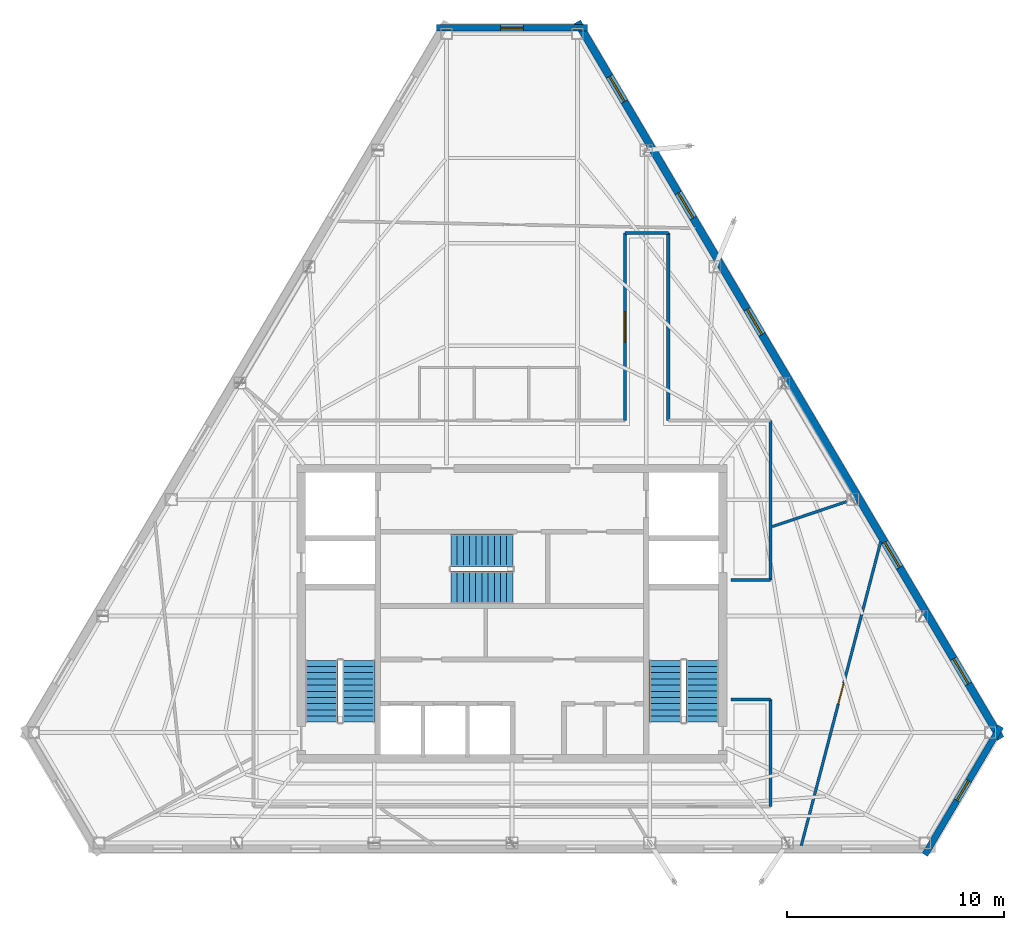
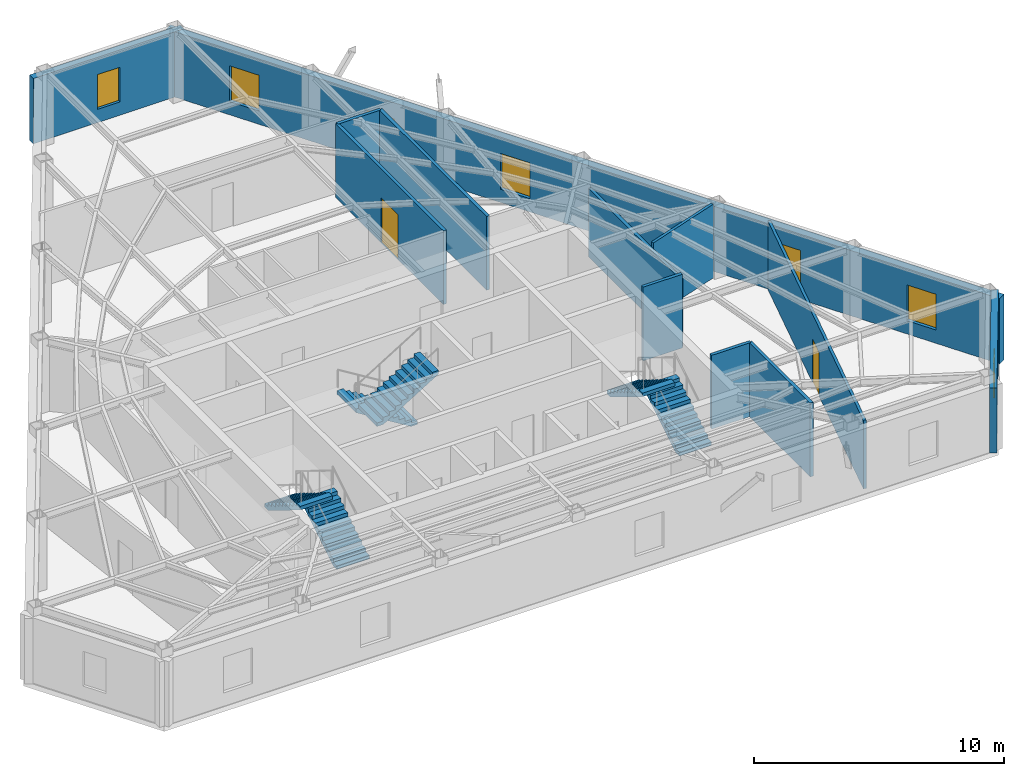
# One storey, part 9 of 10: 12 walls, 7 windows, 6 stair flights, 2 doors, 9 openings, 3 elements without a shape of their own.
"""IFC4 building model written with IfcOpenShell, lengths in metres."""

from ifc_helpers import new_model, si_unit, direction, frame, frame_2d, origin, place, context, subcontext, project, spatial, polyline, rectangle, outline, extrude, material, layer, layer_set, type_object, element, fill, aggregate, save


model = new_model("IFC4")

# Units and contexts
model_context = context("Model", 3, precision=1e-05, world=origin(), true_north=direction((0.0, 1.0)))
body_context = subcontext(model_context, "Body", "Model", "MODEL_VIEW")
ifc_project = project(units=[si_unit("LENGTHUNIT", "METRE"), si_unit("AREAUNIT", "SQUARE_METRE"), si_unit("VOLUMEUNIT", "CUBIC_METRE"), si_unit("PLANEANGLEUNIT", "RADIAN"), si_unit("MASSUNIT", "GRAM", prefix="KILO")], contexts=[model_context])

# Site, building, storey
site_placement = place(None, origin())
site = spatial("IfcSite", under=ifc_project, at=site_placement, CompositionType="ELEMENT")
building_placement = place(site_placement, origin())
building = spatial("IfcBuilding", under=site, at=building_placement, Name="Kavelnor Concourse Tower", CompositionType="ELEMENT")
storey_placement = place(building_placement, frame((0.0, 0.0, 274.14990234375)))
storey = spatial("IfcBuildingStorey", under=building, at=storey_placement, Name="L69", CompositionType="ELEMENT", Elevation=274.14990234375)

# Wall, opening, window
ifc_material_1 = material(Name="Buff ironspot clay face brick masonry", Category="masonry")
ifc_layer_1 = layer(ifc_material_1, 0.300048828125, Name="Buff ironspot clay face brick masonry")
ifc_layer_set_1 = layer_set([ifc_layer_1], Name="Buff ironspot clay face brick masonry")
wall_type_1 = type_object("IfcWallType", Name="WL-EXT-BUFF-BRICK-FOLD-300", PredefinedType="STANDARD", material=ifc_layer_set_1)
wall_1_placement = place(storey_placement, frame((34.511474609375, 43.083984375, 0.0), z_axis=(0.0, 0.0, 1.0), x_axis=(1.0, 0.0, 0.0)))
wall_1 = element("IfcWall", 1, at=wall_1_placement, inside=storey, type_object=wall_type_1, Name="L69 Exterior Brick Facade Wall E0", PredefinedType="STANDARD", context=body_context, shape_type="SweptSolid", body=[
    extrude(rectangle(XDim=6.97705078125, YDim=0.300048828125, at=frame_2d((3.488525390625, 0.0))), origin(), (0.0, 0.0, 1.0), 3.196044921875),
])
opening_1_placement = place(wall_1_placement, frame((2.963623046875, 0.0, 0.64990234375)))
opening_1 = element("IfcOpeningElement", 2, at=opening_1_placement, cuts=wall_1, Name="Opening W-06", PredefinedType="OPENING", context=body_context, shape_type="SweptSolid", body=[
    extrude(rectangle(XDim=1.050048828125, YDim=1.699951171875, at=frame_2d((0.52490234375, 0.85009765625))), frame((0.0, 0.16015625, 0.0), z_axis=(0.0, -1.0, 0.0), x_axis=(1.0, 0.0, 0.0)), (0.0, 0.0, 1.0), 0.320068359375),
])
ifc_material_2 = material(Name="Double low-E argon insulated glazing", Category="glass")
window_type_1 = type_object("IfcWindowType", Name="WIN-FOLD-1050", PartitioningType="SINGLE_PANEL", PredefinedType="WINDOW", material=ifc_material_2)
window_1_placement = place(opening_1_placement, origin())
window_1 = element("IfcWindow", 3, at=window_1_placement, inside=storey, type_object=window_type_1, Name="L69 Chamfer-Fold Facet Window C0", OverallHeight=1.699951171875, OverallWidth=1.050048828125, PartitioningType="SINGLE_PANEL", PredefinedType="WINDOW", context=body_context, shape_type="SweptSolid", body=[
    extrude(rectangle(XDim=1.050048828125, YDim=1.699951171875, at=frame_2d((0.52490234375, 0.85009765625))), frame((0.0, 0.030029296875, 0.0), z_axis=(0.0, -1.0, 0.0), x_axis=(1.0, 0.0, 0.0)), (0.0, 0.0, 1.0), 0.06005859375),
])
fill(opening_1, window_1)

wall_2_placement = place(storey_placement, frame((60.514892578125, 10.9013671875, 0.0), z_axis=(0.0, 0.0, 1.0), x_axis=(-0.508725717469, -0.86092865232, 0.0)))
wall_2 = element("IfcWall", 4, at=wall_2_placement, inside=storey, type_object=wall_type_1, Name="L69 Exterior Brick Facade Wall E4", PredefinedType="STANDARD", context=body_context, shape_type="SweptSolid", body=[
    extrude(rectangle(XDim=6.864501953125, YDim=0.300048828125, at=frame_2d((3.43212890625, 0.0))), origin(), (0.0, 0.0, 1.0), 3.196044921875),
])
opening_2_placement = place(wall_2_placement, frame((2.9072265625, 0.0, 0.64990234375)))
opening_2 = element("IfcOpeningElement", 5, at=opening_2_placement, cuts=wall_2, Name="Opening W-06", PredefinedType="OPENING", context=body_context, shape_type="SweptSolid", body=[
    extrude(rectangle(XDim=1.050048828125, YDim=1.699951171875, at=frame_2d((0.52490234375, 0.85009765625))), frame((0.0, 0.16015625, 0.0), z_axis=(0.0, -1.0, 0.0), x_axis=(1.0, 0.0, 0.0)), (0.0, 0.0, 1.0), 0.320068359375),
])
window_2_placement = place(opening_2_placement, origin())
window_2 = element("IfcWindow", 6, at=window_2_placement, inside=storey, type_object=window_type_1, Name="L69 Chamfer-Fold Facet Window C2", OverallHeight=1.699951171875, OverallWidth=1.050048828125, PartitioningType="SINGLE_PANEL", PredefinedType="WINDOW", context=body_context, shape_type="SweptSolid", body=[
    extrude(rectangle(XDim=1.050048828125, YDim=1.699951171875, at=frame_2d((0.52490234375, 0.85009765625))), frame((0.0, 0.030029296875, 0.0), z_axis=(0.0, -1.0, 0.0), x_axis=(1.0, 0.0, 0.0)), (0.0, 0.0, 1.0), 0.06005859375),
])
fill(opening_2, window_2)

# Wall, openings, windows
ifc_material_3 = material(Name="Red-ochre clay face brick masonry", Category="masonry")
ifc_layer_2 = layer(ifc_material_3, 0.35009765625, Name="Red-ochre clay face brick masonry")
ifc_layer_set_2 = layer_set([ifc_layer_2], Name="Red-ochre clay face brick masonry")
wall_type_2 = type_object("IfcWallType", Name="WL-EXT-RED-BRICK-PIER-350", PredefinedType="STANDARD", material=ifc_layer_set_2)
wall_3_placement = place(storey_placement, frame((41.006103515625, 43.359375, 0.0), z_axis=(0.0, 0.0, 1.0), x_axis=(0.508715156146, -0.860934892955, 0.0)))
wall_3 = element("IfcWall", 7, at=wall_3_placement, inside=storey, type_object=wall_type_2, Name="L69 Exterior Brick Facade Wall E5", PredefinedType="STANDARD", context=body_context, shape_type="SweptSolid", body=[
    extrude(rectangle(XDim=38.34912109375, YDim=0.35009765625, at=frame_2d((19.174560546875, 0.0))), origin(), (0.0, 0.0, 1.0), 3.196044921875),
])
opening_3_placement = place(wall_3_placement, frame((34.074462890625, 0.0, 0.64990234375)))
opening_3 = element("IfcOpeningElement", 8, at=opening_3_placement, cuts=wall_3, Name="Opening W-04", PredefinedType="OPENING", context=body_context, shape_type="SweptSolid", body=[
    extrude(rectangle(XDim=1.35009765625, YDim=1.75, at=frame_2d((0.675048828125, 0.875))), frame((0.0, 0.18505859375, 0.0), z_axis=(0.0, -1.0, 0.0), x_axis=(1.0, 0.0, 0.0)), (0.0, 0.0, 1.0), 0.3701171875),
])
opening_4_placement = place(wall_3_placement, frame((27.842529296875, 0.0, 0.64990234375)))
opening_4 = element("IfcOpeningElement", 9, at=opening_4_placement, cuts=wall_3, Name="Opening W-04", PredefinedType="OPENING", context=body_context, shape_type="SweptSolid", body=[
    extrude(rectangle(XDim=1.35009765625, YDim=1.75, at=frame_2d((0.675048828125, 0.875))), frame((0.0, 0.18505859375, 0.0), z_axis=(0.0, -1.0, 0.0), x_axis=(1.0, 0.0, 0.0)), (0.0, 0.0, 1.0), 0.3701171875),
])
opening_5_placement = place(wall_3_placement, frame((15.378662109375, 0.0, 0.64990234375)))
opening_5 = element("IfcOpeningElement", 10, at=opening_5_placement, cuts=wall_3, Name="Opening W-04", PredefinedType="OPENING", context=body_context, shape_type="SweptSolid", body=[
    extrude(rectangle(XDim=1.35009765625, YDim=1.75, at=frame_2d((0.675048828125, 0.875))), frame((0.0, 0.18505859375, 0.0), z_axis=(0.0, -1.0, 0.0), x_axis=(1.0, 0.0, 0.0)), (0.0, 0.0, 1.0), 0.3701171875),
])
opening_6_placement = place(wall_3_placement, frame((9.146728515625, 0.0, 0.64990234375)))
opening_6 = element("IfcOpeningElement", 11, at=opening_6_placement, cuts=wall_3, Name="Opening W-04", PredefinedType="OPENING", context=body_context, shape_type="SweptSolid", body=[
    extrude(rectangle(XDim=1.35009765625, YDim=1.75, at=frame_2d((0.675048828125, 0.875))), frame((0.0, 0.18505859375, 0.0), z_axis=(0.0, -1.0, 0.0), x_axis=(1.0, 0.0, 0.0)), (0.0, 0.0, 1.0), 0.3701171875),
])
opening_7_placement = place(wall_3_placement, frame((2.914794921875, 0.0, 0.64990234375)))
opening_7 = element("IfcOpeningElement", 12, at=opening_7_placement, cuts=wall_3, Name="Opening W-04", PredefinedType="OPENING", context=body_context, shape_type="SweptSolid", body=[
    extrude(rectangle(XDim=1.35009765625, YDim=1.75, at=frame_2d((0.675048828125, 0.875))), frame((0.0, 0.18505859375, 0.0), z_axis=(0.0, -1.0, 0.0), x_axis=(1.0, 0.0, 0.0)), (0.0, 0.0, 1.0), 0.3701171875),
])
window_type_2 = type_object("IfcWindowType", Name="WIN-PIER-Z4-1350", PartitioningType="SINGLE_PANEL", PredefinedType="WINDOW", material=ifc_material_2)
window_3_placement = place(opening_3_placement, origin())
window_3 = element("IfcWindow", 13, at=window_3_placement, inside=storey, type_object=window_type_2, Name="L69 Deep-Set Brick Pier Window F2-B0", OverallHeight=1.75, OverallWidth=1.35009765625, PartitioningType="SINGLE_PANEL", PredefinedType="WINDOW", context=body_context, shape_type="SweptSolid", body=[
    extrude(rectangle(XDim=1.35009765625, YDim=1.75, at=frame_2d((0.675048828125, 0.875))), frame((0.0, 0.030029296875, 0.0), z_axis=(0.0, -1.0, 0.0), x_axis=(1.0, 0.0, 0.0)), (0.0, 0.0, 1.0), 0.06005859375),
])
fill(opening_3, window_3)
window_4_placement = place(opening_4_placement, origin())
window_4 = element("IfcWindow", 14, at=window_4_placement, inside=storey, type_object=window_type_2, Name="L69 Deep-Set Brick Pier Window F2-B1", OverallHeight=1.75, OverallWidth=1.35009765625, PartitioningType="SINGLE_PANEL", PredefinedType="WINDOW", context=body_context, shape_type="SweptSolid", body=[
    extrude(rectangle(XDim=1.35009765625, YDim=1.75, at=frame_2d((0.675048828125, 0.875))), frame((0.0, 0.030029296875, 0.0), z_axis=(0.0, -1.0, 0.0), x_axis=(1.0, 0.0, 0.0)), (0.0, 0.0, 1.0), 0.06005859375),
])
fill(opening_4, window_4)
window_5_placement = place(opening_5_placement, origin())
window_5 = element("IfcWindow", 15, at=window_5_placement, inside=storey, type_object=window_type_2, Name="L69 Deep-Set Brick Pier Window F2-B3", OverallHeight=1.75, OverallWidth=1.35009765625, PartitioningType="SINGLE_PANEL", PredefinedType="WINDOW", context=body_context, shape_type="SweptSolid", body=[
    extrude(rectangle(XDim=1.35009765625, YDim=1.75, at=frame_2d((0.675048828125, 0.875))), frame((0.0, 0.030029296875, 0.0), z_axis=(0.0, -1.0, 0.0), x_axis=(1.0, 0.0, 0.0)), (0.0, 0.0, 1.0), 0.06005859375),
])
fill(opening_5, window_5)
window_6_placement = place(opening_6_placement, origin())
window_6 = element("IfcWindow", 16, at=window_6_placement, inside=storey, type_object=window_type_2, Name="L69 Deep-Set Brick Pier Window F2-B4", OverallHeight=1.75, OverallWidth=1.35009765625, PartitioningType="SINGLE_PANEL", PredefinedType="WINDOW", context=body_context, shape_type="SweptSolid", body=[
    extrude(rectangle(XDim=1.35009765625, YDim=1.75, at=frame_2d((0.675048828125, 0.875))), frame((0.0, 0.030029296875, 0.0), z_axis=(0.0, -1.0, 0.0), x_axis=(1.0, 0.0, 0.0)), (0.0, 0.0, 1.0), 0.06005859375),
])
fill(opening_6, window_6)
window_7_placement = place(opening_7_placement, origin())
window_7 = element("IfcWindow", 17, at=window_7_placement, inside=storey, type_object=window_type_2, Name="L69 Deep-Set Brick Pier Window F2-B5", OverallHeight=1.75, OverallWidth=1.35009765625, PartitioningType="SINGLE_PANEL", PredefinedType="WINDOW", context=body_context, shape_type="SweptSolid", body=[
    extrude(rectangle(XDim=1.35009765625, YDim=1.75, at=frame_2d((0.675048828125, 0.875))), frame((0.0, 0.030029296875, 0.0), z_axis=(0.0, -1.0, 0.0), x_axis=(1.0, 0.0, 0.0)), (0.0, 0.0, 1.0), 0.06005859375),
])
fill(opening_7, window_7)

# Wall, opening, door
ifc_material_4 = material(Name="Gypsum plasterboard on light-gauge steel studs", Category="steel")
ifc_layer_3 = layer(ifc_material_4, 0.14501953125, Name="Gypsum plasterboard on light-gauge steel studs")
ifc_layer_set_3 = layer_set([ifc_layer_3], Name="Gypsum plasterboard on light-gauge steel studs")
wall_type_3 = type_object("IfcWallType", Name="WL-INT-CORR-145", PredefinedType="PARTITIONING", material=ifc_layer_set_3)
wall_4_placement = place(storey_placement, frame((43.199951171875, 24.989990234375, 0.0), z_axis=(0.0, 0.0, 1.0), x_axis=(0.0, 1.0, 0.0)))
wall_4 = element("IfcWall", 18, at=wall_4_placement, inside=storey, type_object=wall_type_3, Name="L69 Corridor Wall WL-L69-CR-01", PredefinedType="PARTITIONING", context=body_context, shape_type="SweptSolid", body=[
    extrude(rectangle(XDim=8.64111328125, YDim=0.14501953125, at=frame_2d((4.320556640625, 0.0))), origin(), (0.0, 0.0, 1.0), 3.610107421875),
])
opening_8_placement = place(wall_4_placement, frame((3.62060546875, 0.0, 0.0)))
opening_8 = element("IfcOpeningElement", 19, at=opening_8_placement, cuts=wall_4, Name="Opening SD-140", PredefinedType="OPENING", context=body_context, shape_type="SweptSolid", body=[
    extrude(rectangle(XDim=1.39990234375, YDim=2.199951171875, at=frame_2d((0.699951171875, 1.10009765625))), frame((0.0, 0.08251953125, 0.0), z_axis=(0.0, -1.0, 0.0), x_axis=(1.0, 0.0, 0.0)), (0.0, 0.0, 1.0), 0.1650390625),
])
ifc_material_5 = material(Name="Solid-core hardwood timber", Category="wood")
door_type_1 = type_object("IfcDoorType", Name="DR-SUITE-ENTRY-1400", OperationType="NOTDEFINED", PredefinedType="DOOR", material=ifc_material_5)
door_1_placement = place(opening_8_placement, origin())
door_1 = element("IfcDoor", 20, at=door_1_placement, inside=storey, type_object=door_type_1, Name="L69 Technical Reference Library 01 Door", OperationType="SINGLE_SWING_LEFT", OverallHeight=2.199951171875, OverallWidth=1.39990234375, PredefinedType="DOOR", context=body_context, shape_type="SweptSolid", body=[
    extrude(rectangle(XDim=1.39990234375, YDim=2.199951171875, at=frame_2d((0.699951171875, 1.10009765625))), frame((0.0, 0.02490234375, 0.0), z_axis=(0.0, -1.0, 0.0), x_axis=(1.0, 0.0, 0.0)), (0.0, 0.0, 1.0), 0.050048828125),
])
fill(opening_8, door_1)

# Walls
wall_5_placement = place(storey_placement, frame((43.199951171875, 33.631103515625, 0.0), z_axis=(0.0, 0.0, 1.0), x_axis=(1.0, 0.0, 0.0)))
element("IfcWall", 21, at=wall_5_placement, inside=storey, type_object=wall_type_3, Name="L69 Corridor Wall WL-L69-CR-02", PredefinedType="PARTITIONING", context=body_context, shape_type="SweptSolid", body=[
    extrude(rectangle(XDim=2.0, YDim=0.14501953125, at=frame_2d((1.0, 0.0))), origin(), (0.0, 0.0, 1.0), 3.610107421875),
])
wall_6_placement = place(storey_placement, frame((45.199951171875, 33.631103515625, 0.0), z_axis=(0.0, 0.0, 1.0), x_axis=(0.0, -1.0, 0.0)))
element("IfcWall", 22, at=wall_6_placement, inside=storey, type_object=wall_type_3, Name="L69 Corridor Wall WL-L69-CR-03", PredefinedType="PARTITIONING", context=body_context, shape_type="SweptSolid", body=[
    extrude(rectangle(XDim=8.64111328125, YDim=0.14501953125, at=frame_2d((4.320556640625, 0.0))), origin(), (0.0, 0.0, 1.0), 3.610107421875),
])
wall_7_placement = place(storey_placement, frame((49.909912109375, 24.989990234375, 0.0), z_axis=(0.0, 0.0, 1.0), x_axis=(0.0, -1.0, 0.0)))
element("IfcWall", 23, at=wall_7_placement, inside=storey, type_object=wall_type_3, Name="L69 Corridor Wall WL-L69-CR-05", PredefinedType="PARTITIONING", context=body_context, shape_type="SweptSolid", body=[
    extrude(rectangle(XDim=7.340087890625, YDim=0.14501953125, at=frame_2d((3.669921875, 0.0))), origin(), (0.0, 0.0, 1.0), 3.34912109375),
])
for number, where, z_axis, x_axis, name in (
    (24, (49.909912109375, 17.64990234375, 0.0), (0.0, 0.0, 1.0), (-1.0, 0.0, 0.0), "L69 Corridor Wall WL-L69-CR-06"),
    (25, (48.090087890625, 12.14990234375, 0.0), (0.0, 0.0, 1.0), (1.0, 0.0, 0.0), "L69 Corridor Wall WL-L69-CR-07"),
):
    element("IfcWall", number, at=place(storey_placement, frame(where, z_axis=z_axis, x_axis=x_axis)), inside=storey, type_object=wall_type_3, Name=name, PredefinedType="PARTITIONING", context=body_context, shape_type="SweptSolid", body=[
        extrude(rectangle(XDim=1.81982421875, YDim=0.14501953125, at=frame_2d((0.909912109375, 0.0))), origin(), (0.0, 0.0, 1.0), 3.610107421875),
    ])
wall_8_placement = place(storey_placement, frame((49.909912109375, 12.14990234375, 0.0), z_axis=(0.0, 0.0, 1.0), x_axis=(0.0, -1.0, 0.0)))
element("IfcWall", 26, at=wall_8_placement, inside=storey, type_object=wall_type_3, Name="L69 Corridor Wall WL-L69-CR-08", PredefinedType="PARTITIONING", context=body_context, shape_type="SweptSolid", body=[
    extrude(rectangle(XDim=4.93994140625, YDim=0.14501953125, at=frame_2d((2.469970703125, 0.0))), origin(), (0.0, 0.0, 1.0), 3.610107421875),
])
ifc_layer_4 = layer(ifc_material_4, 0.125, Name="Gypsum plasterboard on light-gauge steel studs")
ifc_layer_set_4 = layer_set([ifc_layer_4], Name="Gypsum plasterboard on light-gauge steel studs")
wall_type_4 = type_object("IfcWallType", Name="WL-INT-SUITE-125", PredefinedType="PARTITIONING", material=ifc_layer_set_4)
wall_9_placement = place(storey_placement, frame((49.990478515625, 20.11279296875, 0.0), z_axis=(0.0, 0.0, 1.0), x_axis=(0.948310009201, 0.317345437101, 0.0)))
element("IfcWall", 27, at=wall_9_placement, inside=storey, type_object=wall_type_4, Name="L69 Radial Suite Partition 01", PredefinedType="PARTITIONING", context=body_context, shape_type="SweptSolid", body=[
    extrude(rectangle(XDim=3.603515625, YDim=0.125, at=frame_2d((1.8017578125, 0.0))), origin(), (0.0, 0.0, 1.0), 3.610107421875),
])

# Wall, opening, door
wall_10_placement = place(storey_placement, frame((51.327392578125, 5.416748046875, 0.0), z_axis=(0.0, 0.0, 1.0), x_axis=(0.252901571437, 0.967492012972, 0.0)))
wall_10 = element("IfcWall", 28, at=wall_10_placement, inside=storey, type_object=wall_type_4, Name="L69 Suite Subdivision Partition 04", PredefinedType="PARTITIONING", context=body_context, shape_type="SweptSolid", body=[
    extrude(rectangle(XDim=14.461181640625, YDim=0.125, at=frame_2d((7.23046875, 0.0))), origin(), (0.0, 0.0, 1.0), 3.34912109375),
])
opening_9_placement = place(wall_10_placement, frame((6.740478515625, 0.0, 0.0)))
opening_9 = element("IfcOpeningElement", 29, at=opening_9_placement, cuts=wall_10, Name="Opening OD-098", PredefinedType="OPENING", context=body_context, shape_type="SweptSolid", body=[
    extrude(rectangle(XDim=0.97998046875, YDim=2.14990234375, at=frame_2d((0.489990234375, 1.074951171875))), frame((0.0, 0.072509765625, 0.0), z_axis=(0.0, -1.0, 0.0), x_axis=(1.0, 0.0, 0.0)), (0.0, 0.0, 1.0), 0.14501953125),
])
door_type_2 = type_object("IfcDoorType", Name="DR-OFFICE-980", OperationType="NOTDEFINED", PredefinedType="DOOR", material=ifc_material_5)
door_2_placement = place(opening_9_placement, origin())
door_2 = element("IfcDoor", 30, at=door_2_placement, inside=storey, type_object=door_type_2, Name="L69 Technical Reference Library 08 Door", OperationType="SINGLE_SWING_RIGHT", OverallHeight=2.14990234375, OverallWidth=0.97998046875, PredefinedType="DOOR", context=body_context, shape_type="SweptSolid", body=[
    extrude(rectangle(XDim=0.97998046875, YDim=2.14990234375, at=frame_2d((0.489990234375, 1.074951171875))), frame((0.0, 0.02490234375, 0.0), z_axis=(0.0, -1.0, 0.0), x_axis=(1.0, 0.0, 0.0)), (0.0, 0.0, 1.0), 0.050048828125),
])
fill(opening_9, door_2)

# Stair, stair flights
ifc_material_6 = material(Name="Concrete C40/50", Category="concrete")
stair_type = type_object("IfcStairType", Name="STR-CORE-1500", PredefinedType="HALF_TURN_STAIR", material=ifc_material_6)
stair_1_placement = place(storey_placement, origin())
stair_1 = element("IfcStair", 31, at=stair_1_placement, inside=storey, type_object=stair_type, Name="L69 ST1", PredefinedType="HALF_TURN_STAIR")
stair_flight_type = type_object("IfcStairFlightType", Name="STR-FLIGHT-1500", PredefinedType="STRAIGHT", material=ifc_material_6)
stair_flight_1_placement = place(storey_placement, frame((30.929931640625, 11.10009765625, 0.0), z_axis=(0.0, 0.0, 1.0), x_axis=(0.0, 1.0, 0.0)))
stair_flight_1 = element("IfcStairFlight", 32, at=stair_flight_1_placement, type_object=stair_flight_type, Name="ST1 flight 1", NumberOfRisers=11, NumberOfTreads=10, PredefinedType="STRAIGHT", RiserHeight=0.175, TreadLength=0.285, context=body_context, shape_type="SweptSolid", body=[
    extrude(outline(polyline([(0.0, 0.0), (0.0, 0.175048828125), (0.284912109375, 0.175048828125), (0.284912109375, 0.35009765625), (0.570068359375, 0.35009765625), (0.570068359375, 0.52490234375), (0.85498046875, 0.52490234375), (0.85498046875, 0.699951171875), (1.139892578125, 0.699951171875), (1.139892578125, 0.875), (1.425048828125, 0.875), (1.425048828125, 1.050048828125), (1.7099609375, 1.050048828125), (1.7099609375, 1.22509765625), (1.9951171875, 1.22509765625), (1.9951171875, 1.39990234375), (2.280029296875, 1.39990234375), (2.280029296875, 1.574951171875), (2.56494140625, 1.574951171875), (2.56494140625, 1.75), (2.85009765625, 1.75), (2.85009765625, 1.925048828125), (2.85009765625, 1.573974609375), (0.286376953125, 0.0), (0.0, 0.0)])), frame((0.0, 0.75, 0.0), z_axis=(0.0, -1.0, 0.0), x_axis=(1.0, 0.0, 0.0)), (0.0, 0.0, 1.0), 1.5),
])
stair_flight_2_placement = place(storey_placement, frame((29.22998046875, 13.949951171875, 1.925048828125), z_axis=(0.0, 0.0, 1.0), x_axis=(0.0, -1.0, 0.0)))
stair_flight_2 = element("IfcStairFlight", 33, at=stair_flight_2_placement, type_object=stair_flight_type, Name="ST1 flight 2", NumberOfRisers=11, NumberOfTreads=10, PredefinedType="STRAIGHT", RiserHeight=0.175, TreadLength=0.285, context=body_context, shape_type="SweptSolid", body=[
    extrude(outline(polyline([(0.0, 0.0), (0.0, 0.175048828125), (0.284912109375, 0.175048828125), (0.284912109375, 0.35009765625), (0.570068359375, 0.35009765625), (0.570068359375, 0.52490234375), (0.85498046875, 0.52490234375), (0.85498046875, 0.699951171875), (1.139892578125, 0.699951171875), (1.139892578125, 0.875), (1.425048828125, 0.875), (1.425048828125, 1.050048828125), (1.7099609375, 1.050048828125), (1.7099609375, 1.22509765625), (1.9951171875, 1.22509765625), (1.9951171875, 1.39990234375), (2.280029296875, 1.39990234375), (2.280029296875, 1.574951171875), (2.56494140625, 1.574951171875), (2.56494140625, 1.75), (2.85009765625, 1.75), (2.85009765625, 1.925048828125), (2.85009765625, 1.573974609375), (0.286376953125, 0.0), (0.0, 0.0)])), frame((0.0, 0.75, 0.0), z_axis=(0.0, -1.0, 0.0), x_axis=(1.0, 0.0, 0.0)), (0.0, 0.0, 1.0), 1.5),
])
aggregate(stair_1, [stair_flight_1, stair_flight_2])

stair_2_placement = place(storey_placement, origin())
stair_2 = element("IfcStair", 34, at=stair_2_placement, inside=storey, type_object=stair_type, Name="L69 ST2", PredefinedType="HALF_TURN_STAIR")
stair_flight_3_placement = place(storey_placement, frame((46.77001953125, 11.10009765625, 0.0), z_axis=(0.0, 0.0, 1.0), x_axis=(0.0, 1.0, 0.0)))
stair_flight_3 = element("IfcStairFlight", 35, at=stair_flight_3_placement, type_object=stair_flight_type, Name="ST2 flight 1", NumberOfRisers=11, NumberOfTreads=10, PredefinedType="STRAIGHT", RiserHeight=0.175, TreadLength=0.285, context=body_context, shape_type="SweptSolid", body=[
    extrude(outline(polyline([(0.0, 0.0), (0.0, 0.175048828125), (0.284912109375, 0.175048828125), (0.284912109375, 0.35009765625), (0.570068359375, 0.35009765625), (0.570068359375, 0.52490234375), (0.85498046875, 0.52490234375), (0.85498046875, 0.699951171875), (1.139892578125, 0.699951171875), (1.139892578125, 0.875), (1.425048828125, 0.875), (1.425048828125, 1.050048828125), (1.7099609375, 1.050048828125), (1.7099609375, 1.22509765625), (1.9951171875, 1.22509765625), (1.9951171875, 1.39990234375), (2.280029296875, 1.39990234375), (2.280029296875, 1.574951171875), (2.56494140625, 1.574951171875), (2.56494140625, 1.75), (2.85009765625, 1.75), (2.85009765625, 1.925048828125), (2.85009765625, 1.573974609375), (0.286376953125, 0.0), (0.0, 0.0)])), frame((0.0, 0.75, 0.0), z_axis=(0.0, -1.0, 0.0), x_axis=(1.0, 0.0, 0.0)), (0.0, 0.0, 1.0), 1.5),
])
stair_flight_4_placement = place(storey_placement, frame((45.070068359375, 13.949951171875, 1.925048828125), z_axis=(0.0, 0.0, 1.0), x_axis=(0.0, -1.0, 0.0)))
stair_flight_4 = element("IfcStairFlight", 36, at=stair_flight_4_placement, type_object=stair_flight_type, Name="ST2 flight 2", NumberOfRisers=11, NumberOfTreads=10, PredefinedType="STRAIGHT", RiserHeight=0.175, TreadLength=0.285, context=body_context, shape_type="SweptSolid", body=[
    extrude(outline(polyline([(0.0, 0.0), (0.0, 0.175048828125), (0.284912109375, 0.175048828125), (0.284912109375, 0.35009765625), (0.570068359375, 0.35009765625), (0.570068359375, 0.52490234375), (0.85498046875, 0.52490234375), (0.85498046875, 0.699951171875), (1.139892578125, 0.699951171875), (1.139892578125, 0.875), (1.425048828125, 0.875), (1.425048828125, 1.050048828125), (1.7099609375, 1.050048828125), (1.7099609375, 1.22509765625), (1.9951171875, 1.22509765625), (1.9951171875, 1.39990234375), (2.280029296875, 1.39990234375), (2.280029296875, 1.574951171875), (2.56494140625, 1.574951171875), (2.56494140625, 1.75), (2.85009765625, 1.75), (2.85009765625, 1.925048828125), (2.85009765625, 1.573974609375), (0.286376953125, 0.0), (0.0, 0.0)])), frame((0.0, 0.75, 0.0), z_axis=(0.0, -1.0, 0.0), x_axis=(1.0, 0.0, 0.0)), (0.0, 0.0, 1.0), 1.5),
])
aggregate(stair_2, [stair_flight_3, stair_flight_4])

stair_3_placement = place(storey_placement, origin())
stair_3 = element("IfcStair", 37, at=stair_3_placement, inside=storey, type_object=stair_type, Name="L69 ST3", PredefinedType="HALF_TURN_STAIR")
stair_flight_5_placement = place(storey_placement, frame((38.0400390625, 19.010009765625, 0.0), z_axis=(0.0, 0.0, 1.0), x_axis=(-1.0, 0.0, 0.0)))
stair_flight_5 = element("IfcStairFlight", 38, at=stair_flight_5_placement, type_object=stair_flight_type, Name="ST3 flight 1", NumberOfRisers=11, NumberOfTreads=10, PredefinedType="STRAIGHT", RiserHeight=0.175, TreadLength=0.285, context=body_context, shape_type="SweptSolid", body=[
    extrude(outline(polyline([(0.0, 0.0), (0.0, 0.175048828125), (0.284912109375, 0.175048828125), (0.284912109375, 0.35009765625), (0.570068359375, 0.35009765625), (0.570068359375, 0.52490234375), (0.85498046875, 0.52490234375), (0.85498046875, 0.699951171875), (1.139892578125, 0.699951171875), (1.139892578125, 0.875), (1.425048828125, 0.875), (1.425048828125, 1.050048828125), (1.7099609375, 1.050048828125), (1.7099609375, 1.22509765625), (1.9951171875, 1.22509765625), (1.9951171875, 1.39990234375), (2.280029296875, 1.39990234375), (2.280029296875, 1.574951171875), (2.56494140625, 1.574951171875), (2.56494140625, 1.75), (2.85009765625, 1.75), (2.85009765625, 1.925048828125), (2.85009765625, 1.573974609375), (0.286376953125, 0.0), (0.0, 0.0)])), frame((0.0, 0.75, 0.0), z_axis=(0.0, -1.0, 0.0), x_axis=(1.0, 0.0, 0.0)), (0.0, 0.0, 1.0), 1.5),
])
stair_flight_6_placement = place(storey_placement, frame((35.18994140625, 17.31005859375, 1.925048828125), z_axis=(0.0, 0.0, 1.0), x_axis=(1.0, 0.0, 0.0)))
stair_flight_6 = element("IfcStairFlight", 39, at=stair_flight_6_placement, type_object=stair_flight_type, Name="ST3 flight 2", NumberOfRisers=11, NumberOfTreads=10, PredefinedType="STRAIGHT", RiserHeight=0.175, TreadLength=0.285, context=body_context, shape_type="SweptSolid", body=[
    extrude(outline(polyline([(0.0, 0.0), (0.0, 0.175048828125), (0.284912109375, 0.175048828125), (0.284912109375, 0.35009765625), (0.570068359375, 0.35009765625), (0.570068359375, 0.52490234375), (0.85498046875, 0.52490234375), (0.85498046875, 0.699951171875), (1.139892578125, 0.699951171875), (1.139892578125, 0.875), (1.425048828125, 0.875), (1.425048828125, 1.050048828125), (1.7099609375, 1.050048828125), (1.7099609375, 1.22509765625), (1.9951171875, 1.22509765625), (1.9951171875, 1.39990234375), (2.280029296875, 1.39990234375), (2.280029296875, 1.574951171875), (2.56494140625, 1.574951171875), (2.56494140625, 1.75), (2.85009765625, 1.75), (2.85009765625, 1.925048828125), (2.85009765625, 1.573974609375), (0.286376953125, 0.0), (0.0, 0.0)])), frame((0.0, 0.75, 0.0), z_axis=(0.0, -1.0, 0.0), x_axis=(1.0, 0.0, 0.0)), (0.0, 0.0, 1.0), 1.5),
])
aggregate(stair_3, [stair_flight_5, stair_flight_6])

save(model, "model.ifc")
